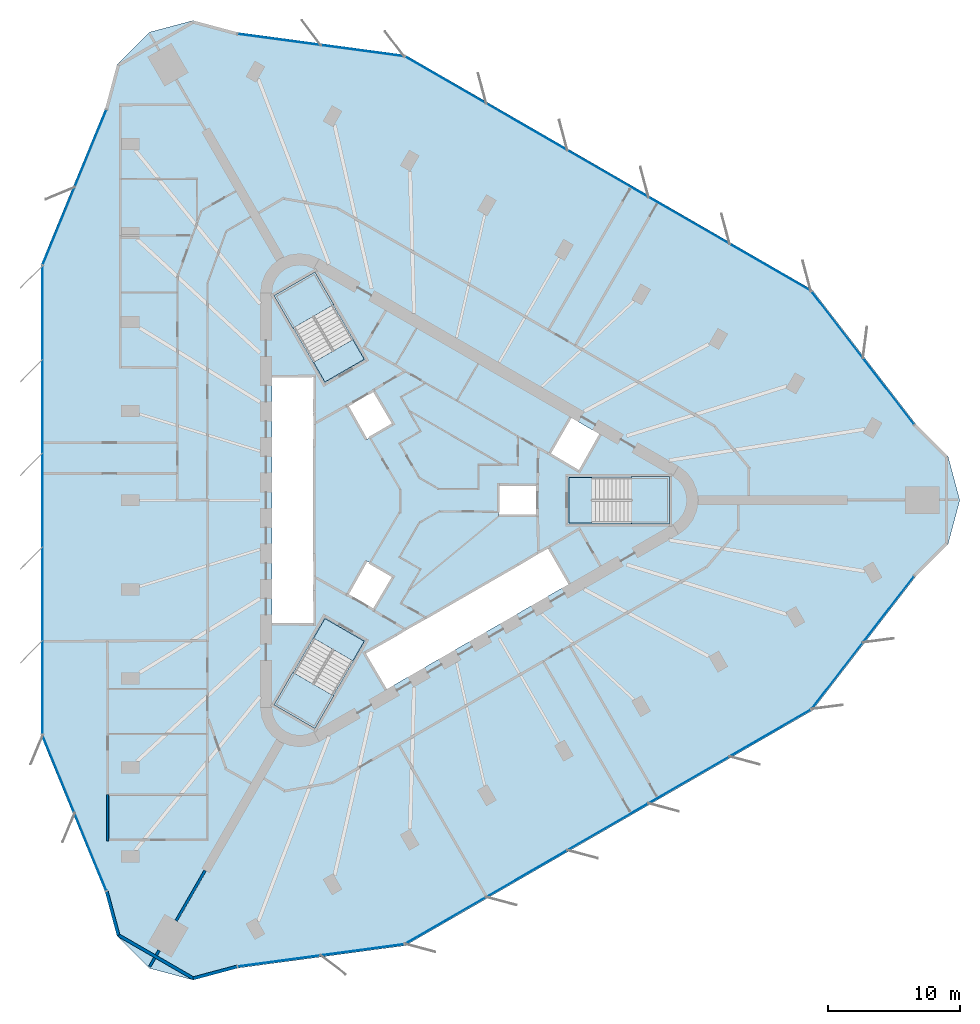
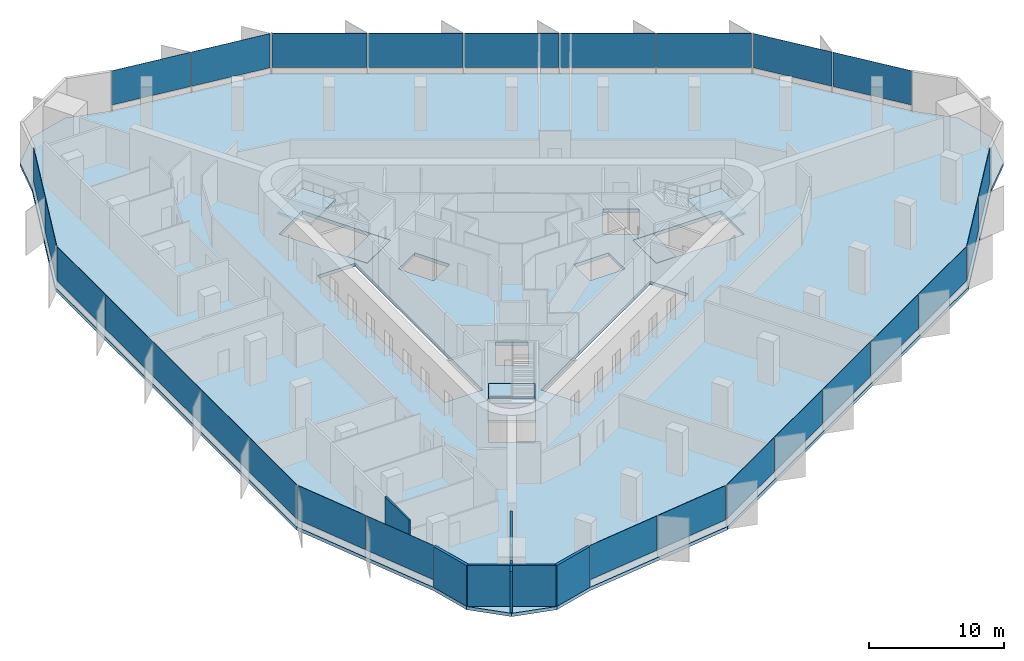
# One storey, part 7 of 14: 27 plates, 7 slabs, 7 walls, 12 elements without a shape of their own.
"""IFC4 building model written with IfcOpenShell, lengths in metres."""

from ifc_helpers import new_model, si_unit, direction, frame, frame_2d, origin, origin_2d, place, context, subcontext, project, spatial, polyline, rectangle, outline, extrude, material, layer, layer_set, type_object, element, aggregate, save


model = new_model("IFC4")

# Units and contexts
model_context = context("Model", 3, precision=1e-05, world=origin(), true_north=direction((0.0, 1.0)))
body_context = subcontext(model_context, "Body", "Model", "MODEL_VIEW")
ifc_project = project(units=[si_unit("LENGTHUNIT", "METRE"), si_unit("AREAUNIT", "SQUARE_METRE"), si_unit("VOLUMEUNIT", "CUBIC_METRE"), si_unit("PLANEANGLEUNIT", "RADIAN"), si_unit("MASSUNIT", "GRAM", prefix="KILO")], contexts=[model_context])

# Site, building, storey
site_placement = place(None, origin())
site = spatial("IfcSite", under=ifc_project, at=site_placement, CompositionType="ELEMENT")
building_placement = place(site_placement, origin())
building = spatial("IfcBuilding", under=site, at=building_placement, Name="Tanit Gate Tower", CompositionType="ELEMENT")
storey_placement = place(building_placement, frame((0.0, 0.0, 237.199951171875)))
storey = spatial("IfcBuildingStorey", under=building, at=storey_placement, Name="L53", CompositionType="ELEMENT", Elevation=237.199951171875)

# Slab
ifc_material_1 = material(Name="Concrete C35/45", Category="concrete")
ifc_layer_1 = layer(ifc_material_1, 0.300048828125)
ifc_layer_set_1 = layer_set([ifc_layer_1], Name="FLOOR SLAB 300 C35/45")
slab_type_1 = type_object("IfcSlabType", Name="FLOOR SLAB 300 C35/45", PredefinedType="FLOOR", material=ifc_layer_set_1)
slab_1_placement = place(storey_placement, frame((0.0, 0.0, -0.300048828125)))
element("IfcSlab", 1, at=slab_1_placement, inside=storey, type_object=slab_type_1, Name="FLOOR SLAB L53", PredefinedType="FLOOR", context=body_context, shape_type="SweptSolid", body=[
    extrude(outline(polyline([(37.72509765625, 5.792724609375), (40.173583984375, 3.344482421875), (41.069580078125, 0.0), (40.173583984375, -3.344482421875), (37.72509765625, -5.792724609375), (29.8583984375, -15.986572265625), (-1.083251953125, -33.853515625), (-13.845947265625, -35.5673828125), (-17.1904296875, -36.46337890625), (-20.534912109375, -35.5673828125), (-22.983154296875, -33.119140625), (-23.879150390625, -29.774658203125), (-28.77392578125, -17.86474609375), (-28.7763671875, 17.86474609375), (-23.879150390625, 29.774658203125), (-22.983154296875, 33.119140625), (-20.534912109375, 35.5673828125), (-17.1904296875, 36.46337890625), (-13.845947265625, 35.5673828125), (-1.08447265625, 33.851318359375), (29.859619140625, 15.988525390625), (37.72509765625, 5.792724609375)]), holes=[polyline([(11.3701171875, 1.72998046875), (18.929931640625, 1.72998046875), (18.929931640625, -1.72998046875), (11.3701171875, -1.72998046875), (11.3701171875, 1.72998046875)]), polyline([(9.82080078125, 3.510009765625), (11.44580078125, 6.324462890625), (13.783935546875, 4.974609375), (12.158935546875, 2.159912109375), (9.82080078125, 3.510009765625)]), polyline([(-4.208984375, -11.60986328125), (9.82080078125, -3.510009765625), (11.44580078125, -6.324462890625), (-2.583984375, -14.424560546875), (-4.208984375, -11.60986328125)]), polyline([(6.0, 1.199951171875), (9.0, 1.199951171875), (9.0, -1.199951171875), (6.0, -1.199951171875), (6.0, 1.199951171875)]), polyline([(-5.539306640625, 7.194091796875), (-3.460693359375, 8.394287109375), (-1.960693359375, 5.796142578125), (-4.039306640625, 4.59619140625), (-5.539306640625, 7.194091796875)]), polyline([(-1.960693359375, -5.796142578125), (-3.460693359375, -8.394287109375), (-5.539306640625, -7.194091796875), (-4.039306640625, -4.59619140625), (-1.960693359375, -5.796142578125)]), polyline([(-10.963134765625, 15.52880859375), (-7.966796875, 17.2587890625), (-4.186767578125, 10.711669921875), (-7.18310546875, 8.981689453125), (-10.963134765625, 15.52880859375)]), polyline([(-4.186767578125, -10.711669921875), (-7.966796875, -17.2587890625), (-10.963134765625, -15.52880859375), (-7.18310546875, -8.981689453125), (-4.186767578125, -10.711669921875)]), polyline([(-11.199951171875, -9.449951171875), (-11.199951171875, 9.449951171875), (-7.949951171875, 9.449951171875), (-7.949951171875, -9.449951171875), (-11.199951171875, -9.449951171875)])]), origin(), (0.0, 0.0, 1.0), 0.300048828125),
])

# Curtain wall, plates
ifc_material_2 = material(Name="Aluminium bronze anodised and glass", Category="aluminium")
curtain_wall_type = type_object("IfcCurtainWallType", Name="Curtain wall typical mid", PredefinedType="NOTDEFINED", material=ifc_material_2)
curtain_wall_1_placement = place(storey_placement, origin())
curtain_wall_1 = element("IfcCurtainWall", 2, at=curtain_wall_1_placement, inside=storey, type_object=curtain_wall_type, Name="Curtain wall L53 NE1", PredefinedType="NOTDEFINED")
ifc_material_3 = material(Name="Glass tinted", Category="glass")
ifc_layer_2 = layer(ifc_material_3, 0.030029296875)
ifc_layer_set_2 = layer_set([ifc_layer_2], Name="Glass panel 30 typical mid")
plate_type = type_object("IfcPlateType", Name="Glass panel 30 typical mid", PredefinedType="CURTAIN_PANEL", material=ifc_layer_set_2)
plate_1_placement = place(storey_placement, frame((35.65869140625, 8.27490234375, 0.60009765625), z_axis=(0.0, 0.0, 1.0), x_axis=(-0.610813286526, 0.791774670599, 0.0)))
plate_1 = element("IfcPlate", 3, at=plate_1_placement, type_object=plate_type, Name="Glass panel L53 NE1.1", PredefinedType="CURTAIN_PANEL", context=body_context, shape_type="SweptSolid", body=[
    extrude(rectangle(XDim=6.310791015625, YDim=0.030029296875, at=origin_2d()), origin(), (0.0, 0.0, 1.0), 3.10009765625),
])
plate_2_placement = place(storey_placement, frame((31.755126953125, 13.3349609375, 0.60009765625), z_axis=(0.0, 0.0, 1.0), x_axis=(-0.610813286526, 0.791774670599, 0.0)))
plate_2 = element("IfcPlate", 4, at=plate_2_placement, type_object=plate_type, Name="Glass panel L53 NE1.2", PredefinedType="CURTAIN_PANEL", context=body_context, shape_type="SweptSolid", body=[
    extrude(rectangle(XDim=6.310791015625, YDim=0.030029296875, at=origin_2d()), origin(), (0.0, 0.0, 1.0), 3.10009765625),
])
aggregate(curtain_wall_1, [plate_1, plate_2])

curtain_wall_2_placement = place(storey_placement, origin())
curtain_wall_2 = element("IfcCurtainWall", 5, at=curtain_wall_2_placement, inside=storey, type_object=curtain_wall_type, Name="Curtain wall L53 NE2", PredefinedType="NOTDEFINED")
plate_3_placement = place(storey_placement, frame((26.6611328125, 17.696533203125, 0.60009765625), z_axis=(0.0, 0.0, 1.0), x_axis=(-0.866060071089, 0.49993994966, 0.0)))
plate_3 = element("IfcPlate", 6, at=plate_3_placement, type_object=plate_type, Name="Glass panel L53 NE2.1", PredefinedType="CURTAIN_PANEL", context=body_context, shape_type="SweptSolid", body=[
    extrude(rectangle(XDim=7.040283203125, YDim=0.030029296875, at=origin_2d()), origin(), (0.0, 0.0, 1.0), 3.10009765625),
])
plate_4_placement = place(storey_placement, frame((20.494384765625, 21.25634765625, 0.60009765625), z_axis=(0.0, 0.0, 1.0), x_axis=(-0.866060071089, 0.49993994966, 0.0)))
plate_4 = element("IfcPlate", 7, at=plate_4_placement, type_object=plate_type, Name="Glass panel L53 NE2.2", PredefinedType="CURTAIN_PANEL", context=body_context, shape_type="SweptSolid", body=[
    extrude(rectangle(XDim=7.04052734375, YDim=0.030029296875, at=origin_2d()), origin(), (0.0, 0.0, 1.0), 3.10009765625),
])
plate_5_placement = place(storey_placement, frame((14.32763671875, 24.816162109375, 0.60009765625), z_axis=(0.0, 0.0, 1.0), x_axis=(-0.866060071089, 0.49993994966, 0.0)))
plate_5 = element("IfcPlate", 8, at=plate_5_placement, type_object=plate_type, Name="Glass panel L53 NE2.3", PredefinedType="CURTAIN_PANEL", context=body_context, shape_type="SweptSolid", body=[
    extrude(rectangle(XDim=7.040283203125, YDim=0.030029296875, at=origin_2d()), origin(), (0.0, 0.0, 1.0), 3.10009765625),
])
plate_6_placement = place(storey_placement, frame((8.160888671875, 28.375732421875, 0.60009765625), z_axis=(0.0, 0.0, 1.0), x_axis=(-0.866060071089, 0.49993994966, 0.0)))
plate_6 = element("IfcPlate", 9, at=plate_6_placement, type_object=plate_type, Name="Glass panel L53 NE2.4", PredefinedType="CURTAIN_PANEL", context=body_context, shape_type="SweptSolid", body=[
    extrude(rectangle(XDim=7.04052734375, YDim=0.030029296875, at=origin_2d()), origin(), (0.0, 0.0, 1.0), 3.10009765625),
])
plate_7_placement = place(storey_placement, frame((1.994140625, 31.935546875, 0.60009765625), z_axis=(0.0, 0.0, 1.0), x_axis=(-0.866060071089, 0.49993994966, 0.0)))
plate_7 = element("IfcPlate", 10, at=plate_7_placement, type_object=plate_type, Name="Glass panel L53 NE2.5", PredefinedType="CURTAIN_PANEL", context=body_context, shape_type="SweptSolid", body=[
    extrude(rectangle(XDim=7.040283203125, YDim=0.030029296875, at=origin_2d()), origin(), (0.0, 0.0, 1.0), 3.10009765625),
])
aggregate(curtain_wall_2, [plate_3, plate_4, plate_5, plate_6, plate_7])

curtain_wall_3_placement = place(storey_placement, origin())
curtain_wall_3 = element("IfcCurtainWall", 11, at=curtain_wall_3_placement, inside=storey, type_object=curtain_wall_type, Name="Curtain wall L53 NE3", PredefinedType="NOTDEFINED")
plate_8_placement = place(storey_placement, frame((-4.330078125, 34.166748046875, 0.60009765625), z_axis=(0.0, 0.0, 1.0), x_axis=(-0.991079923129, 0.133268848466, 0.0)))
plate_8 = element("IfcPlate", 12, at=plate_8_placement, type_object=plate_type, Name="Glass panel L53 NE3.1", PredefinedType="CURTAIN_PANEL", context=body_context, shape_type="SweptSolid", body=[
    extrude(rectangle(XDim=6.310302734375, YDim=0.030029296875, at=origin_2d()), origin(), (0.0, 0.0, 1.0), 3.10009765625),
])
plate_9_placement = place(storey_placement, frame((-10.663330078125, 35.018310546875, 0.60009765625), z_axis=(0.0, 0.0, 1.0), x_axis=(-0.991079923129, 0.133268848466, 0.0)))
plate_9 = element("IfcPlate", 13, at=plate_9_placement, type_object=plate_type, Name="Glass panel L53 NE3.2", PredefinedType="CURTAIN_PANEL", context=body_context, shape_type="SweptSolid", body=[
    extrude(rectangle(XDim=6.310302734375, YDim=0.030029296875, at=origin_2d()), origin(), (0.0, 0.0, 1.0), 3.10009765625),
])
aggregate(curtain_wall_3, [plate_8, plate_9])

curtain_wall_4_placement = place(storey_placement, origin())
curtain_wall_4 = element("IfcCurtainWall", 14, at=curtain_wall_4_placement, inside=storey, type_object=curtain_wall_type, Name="Curtain wall L53 W1", PredefinedType="NOTDEFINED")
plate_10_placement = place(storey_placement, frame((-24.99560546875, 26.743896484375, 0.60009765625), z_axis=(0.0, 0.0, 1.0), x_axis=(-0.380290335549, -0.924867158401, 0.0)))
plate_10 = element("IfcPlate", 15, at=plate_10_placement, type_object=plate_type, Name="Glass panel L53 W1.1", PredefinedType="CURTAIN_PANEL", context=body_context, shape_type="SweptSolid", body=[
    extrude(rectangle(XDim=6.310791015625, YDim=0.030029296875, at=origin_2d()), origin(), (0.0, 0.0, 1.0), 3.10009765625),
])
plate_11_placement = place(storey_placement, frame((-27.426025390625, 20.833251953125, 0.60009765625), z_axis=(0.0, 0.0, 1.0), x_axis=(-0.380290335549, -0.924867158401, 0.0)))
plate_11 = element("IfcPlate", 16, at=plate_11_placement, type_object=plate_type, Name="Glass panel L53 W1.2", PredefinedType="CURTAIN_PANEL", context=body_context, shape_type="SweptSolid", body=[
    extrude(rectangle(XDim=6.310791015625, YDim=0.030029296875, at=origin_2d()), origin(), (0.0, 0.0, 1.0), 3.10009765625),
])
aggregate(curtain_wall_4, [plate_10, plate_11])

curtain_wall_5_placement = place(storey_placement, origin())
curtain_wall_5 = element("IfcCurtainWall", 17, at=curtain_wall_5_placement, inside=storey, type_object=curtain_wall_type, Name="Curtain wall L53 W2", PredefinedType="NOTDEFINED")
plate_12_placement = place(storey_placement, frame((-28.656005859375, 14.240966796875, 0.60009765625), z_axis=(0.0, 0.0, 1.0), x_axis=(6.9338772e-05, -0.999999997596, 0.0)))
plate_12 = element("IfcPlate", 18, at=plate_12_placement, type_object=plate_type, Name="Glass panel L53 W2.1", PredefinedType="CURTAIN_PANEL", context=body_context, shape_type="SweptSolid", body=[
    extrude(rectangle(XDim=7.040283203125, YDim=0.030029296875, at=origin_2d()), origin(), (0.0, 0.0, 1.0), 3.10009765625),
])
plate_13_placement = place(storey_placement, frame((-28.655517578125, 7.120361328125, 0.60009765625), z_axis=(0.0, 0.0, 1.0), x_axis=(6.9338772e-05, -0.999999997596, 0.0)))
plate_13 = element("IfcPlate", 19, at=plate_13_placement, type_object=plate_type, Name="Glass panel L53 W2.2", PredefinedType="CURTAIN_PANEL", context=body_context, shape_type="SweptSolid", body=[
    extrude(rectangle(XDim=7.04052734375, YDim=0.030029296875, at=origin_2d()), origin(), (0.0, 0.0, 1.0), 3.10009765625),
])
plate_14_placement = place(storey_placement, frame((-28.655029296875, 0.0, 0.60009765625), z_axis=(0.0, 0.0, 1.0), x_axis=(6.9338772e-05, -0.999999997596, 0.0)))
plate_14 = element("IfcPlate", 20, at=plate_14_placement, type_object=plate_type, Name="Glass panel L53 W2.3", PredefinedType="CURTAIN_PANEL", context=body_context, shape_type="SweptSolid", body=[
    extrude(rectangle(XDim=7.040283203125, YDim=0.030029296875, at=origin_2d()), origin(), (0.0, 0.0, 1.0), 3.10009765625),
])
plate_15_placement = place(storey_placement, frame((-28.654541015625, -7.120361328125, 0.60009765625), z_axis=(0.0, 0.0, 1.0), x_axis=(6.9338772e-05, -0.999999997596, 0.0)))
plate_15 = element("IfcPlate", 21, at=plate_15_placement, type_object=plate_type, Name="Glass panel L53 W2.4", PredefinedType="CURTAIN_PANEL", context=body_context, shape_type="SweptSolid", body=[
    extrude(rectangle(XDim=7.04052734375, YDim=0.030029296875, at=origin_2d()), origin(), (0.0, 0.0, 1.0), 3.10009765625),
])
plate_16_placement = place(storey_placement, frame((-28.654052734375, -14.240966796875, 0.60009765625), z_axis=(0.0, 0.0, 1.0), x_axis=(6.9338772e-05, -0.999999997596, 0.0)))
plate_16 = element("IfcPlate", 22, at=plate_16_placement, type_object=plate_type, Name="Glass panel L53 W2.5", PredefinedType="CURTAIN_PANEL", context=body_context, shape_type="SweptSolid", body=[
    extrude(rectangle(XDim=7.040283203125, YDim=0.030029296875, at=origin_2d()), origin(), (0.0, 0.0, 1.0), 3.10009765625),
])
aggregate(curtain_wall_5, [plate_12, plate_13, plate_14, plate_15, plate_16])

curtain_wall_6_placement = place(storey_placement, origin())
curtain_wall_6 = element("IfcCurtainWall", 23, at=curtain_wall_6_placement, inside=storey, type_object=curtain_wall_type, Name="Curtain wall L53 W3", PredefinedType="NOTDEFINED")
plate_17_placement = place(storey_placement, frame((-27.424072265625, -20.833251953125, 0.60009765625), z_axis=(0.0, 0.0, 1.0), x_axis=(0.380125753259, -0.924934814843, 0.0)))
plate_17 = element("IfcPlate", 24, at=plate_17_placement, type_object=plate_type, Name="Glass panel L53 W3.1", PredefinedType="CURTAIN_PANEL", context=body_context, shape_type="SweptSolid", body=[
    extrude(rectangle(XDim=6.310302734375, YDim=0.030029296875, at=origin_2d()), origin(), (0.0, 0.0, 1.0), 3.10009765625),
])
plate_18_placement = place(storey_placement, frame((-24.9951171875, -26.743896484375, 0.60009765625), z_axis=(0.0, 0.0, 1.0), x_axis=(0.380125753259, -0.924934814843, 0.0)))
plate_18 = element("IfcPlate", 25, at=plate_18_placement, type_object=plate_type, Name="Glass panel L53 W3.2", PredefinedType="CURTAIN_PANEL", context=body_context, shape_type="SweptSolid", body=[
    extrude(rectangle(XDim=6.310302734375, YDim=0.030029296875, at=origin_2d()), origin(), (0.0, 0.0, 1.0), 3.10009765625),
])
aggregate(curtain_wall_6, [plate_17, plate_18])

curtain_wall_7_placement = place(storey_placement, origin())
curtain_wall_7 = element("IfcCurtainWall", 26, at=curtain_wall_7_placement, inside=storey, type_object=curtain_wall_type, Name="Curtain wall L53 SE1", PredefinedType="NOTDEFINED")
plate_19_placement = place(storey_placement, frame((-10.6630859375, -35.018798828125, 0.60009765625), z_axis=(0.0, 0.0, 1.0), x_axis=(0.991103622075, 0.133092487801, 0.0)))
plate_19 = element("IfcPlate", 27, at=plate_19_placement, type_object=plate_type, Name="Glass panel L53 SE1.1", PredefinedType="CURTAIN_PANEL", context=body_context, shape_type="SweptSolid", body=[
    extrude(rectangle(XDim=6.310791015625, YDim=0.030029296875, at=origin_2d()), origin(), (0.0, 0.0, 1.0), 3.10009765625),
])
plate_20_placement = place(storey_placement, frame((-4.329345703125, -34.168212890625, 0.60009765625), z_axis=(0.0, 0.0, 1.0), x_axis=(0.991103622075, 0.133092487801, 0.0)))
plate_20 = element("IfcPlate", 28, at=plate_20_placement, type_object=plate_type, Name="Glass panel L53 SE1.2", PredefinedType="CURTAIN_PANEL", context=body_context, shape_type="SweptSolid", body=[
    extrude(rectangle(XDim=6.310791015625, YDim=0.030029296875, at=origin_2d()), origin(), (0.0, 0.0, 1.0), 3.10009765625),
])
aggregate(curtain_wall_7, [plate_19, plate_20])

curtain_wall_8_placement = place(storey_placement, origin())
curtain_wall_8 = element("IfcCurtainWall", 29, at=curtain_wall_8_placement, inside=storey, type_object=curtain_wall_type, Name="Curtain wall L53 SE2", PredefinedType="NOTDEFINED")
plate_21_placement = place(storey_placement, frame((1.9951171875, -31.937255859375, 0.60009765625), z_axis=(0.0, 0.0, 1.0), x_axis=(0.865990732317, 0.500060047936, 0.0)))
plate_21 = element("IfcPlate", 30, at=plate_21_placement, type_object=plate_type, Name="Glass panel L53 SE2.1", PredefinedType="CURTAIN_PANEL", context=body_context, shape_type="SweptSolid", body=[
    extrude(rectangle(XDim=7.040283203125, YDim=0.030029296875, at=origin_2d()), origin(), (0.0, 0.0, 1.0), 3.10009765625),
])
plate_22_placement = place(storey_placement, frame((8.161376953125, -28.376708984375, 0.60009765625), z_axis=(0.0, 0.0, 1.0), x_axis=(0.865990732317, 0.500060047936, 0.0)))
plate_22 = element("IfcPlate", 31, at=plate_22_placement, type_object=plate_type, Name="Glass panel L53 SE2.2", PredefinedType="CURTAIN_PANEL", context=body_context, shape_type="SweptSolid", body=[
    extrude(rectangle(XDim=7.04052734375, YDim=0.030029296875, at=origin_2d()), origin(), (0.0, 0.0, 1.0), 3.10009765625),
])
plate_23_placement = place(storey_placement, frame((14.32763671875, -24.816162109375, 0.60009765625), z_axis=(0.0, 0.0, 1.0), x_axis=(0.865990732317, 0.500060047936, 0.0)))
plate_23 = element("IfcPlate", 32, at=plate_23_placement, type_object=plate_type, Name="Glass panel L53 SE2.3", PredefinedType="CURTAIN_PANEL", context=body_context, shape_type="SweptSolid", body=[
    extrude(rectangle(XDim=7.040283203125, YDim=0.030029296875, at=origin_2d()), origin(), (0.0, 0.0, 1.0), 3.10009765625),
])
plate_24_placement = place(storey_placement, frame((20.493896484375, -21.25537109375, 0.60009765625), z_axis=(0.0, 0.0, 1.0), x_axis=(0.865990732317, 0.500060047936, 0.0)))
plate_24 = element("IfcPlate", 33, at=plate_24_placement, type_object=plate_type, Name="Glass panel L53 SE2.4", PredefinedType="CURTAIN_PANEL", context=body_context, shape_type="SweptSolid", body=[
    extrude(rectangle(XDim=7.04052734375, YDim=0.030029296875, at=origin_2d()), origin(), (0.0, 0.0, 1.0), 3.10009765625),
])
plate_25_placement = place(storey_placement, frame((26.66015625, -17.69482421875, 0.60009765625), z_axis=(0.0, 0.0, 1.0), x_axis=(0.865990732317, 0.500060047936, 0.0)))
plate_25 = element("IfcPlate", 34, at=plate_25_placement, type_object=plate_type, Name="Glass panel L53 SE2.5", PredefinedType="CURTAIN_PANEL", context=body_context, shape_type="SweptSolid", body=[
    extrude(rectangle(XDim=7.040283203125, YDim=0.030029296875, at=origin_2d()), origin(), (0.0, 0.0, 1.0), 3.10009765625),
])
aggregate(curtain_wall_8, [plate_21, plate_22, plate_23, plate_24, plate_25])

curtain_wall_9_placement = place(storey_placement, origin())
curtain_wall_9 = element("IfcCurtainWall", 35, at=curtain_wall_9_placement, inside=storey, type_object=curtain_wall_type, Name="Curtain wall L53 SE3", PredefinedType="NOTDEFINED")
plate_26_placement = place(storey_placement, frame((31.75439453125, -13.333251953125, 0.60009765625), z_axis=(0.0, 0.0, 1.0), x_axis=(0.610954169869, 0.791665966377, 0.0)))
plate_26 = element("IfcPlate", 36, at=plate_26_placement, type_object=plate_type, Name="Glass panel L53 SE3.1", PredefinedType="CURTAIN_PANEL", context=body_context, shape_type="SweptSolid", body=[
    extrude(rectangle(XDim=6.310302734375, YDim=0.030029296875, at=origin_2d()), origin(), (0.0, 0.0, 1.0), 3.10009765625),
])
plate_27_placement = place(storey_placement, frame((35.658447265625, -8.2744140625, 0.60009765625), z_axis=(0.0, 0.0, 1.0), x_axis=(0.610954169869, 0.791665966377, 0.0)))
plate_27 = element("IfcPlate", 37, at=plate_27_placement, type_object=plate_type, Name="Glass panel L53 SE3.2", PredefinedType="CURTAIN_PANEL", context=body_context, shape_type="SweptSolid", body=[
    extrude(rectangle(XDim=6.310302734375, YDim=0.030029296875, at=origin_2d()), origin(), (0.0, 0.0, 1.0), 3.10009765625),
])
aggregate(curtain_wall_9, [plate_26, plate_27])

# Stair, slab
ifc_material_4 = material(Name="Concrete C40/50", Category="concrete")
stair_type = type_object("IfcStairType", Name="INT-STAIR-EXIT", PredefinedType="HALF_TURN_STAIR", material=ifc_material_4)
stair_1_placement = place(storey_placement, origin())
stair_1 = element("IfcStair", 38, at=stair_1_placement, inside=storey, type_object=stair_type, Name="L53 STAIR S1", PredefinedType="HALF_TURN_STAIR")
ifc_material_5 = material(Name="Concrete C40/50", Category="concrete")
ifc_layer_3 = layer(ifc_material_5, 0.199951171875)
ifc_layer_set_3 = layer_set([ifc_layer_3], Name="INT-STAIR-LANDING")
slab_type_2 = type_object("IfcSlabType", Name="INT-STAIR-LANDING", PredefinedType="LANDING", material=ifc_layer_set_3)
slab_2_placement = place(storey_placement, frame((0.0, 0.0, 1.800048828125)))
slab_2 = element("IfcSlab", 39, at=slab_2_placement, type_object=slab_type_2, Name="S1 landing 1", PredefinedType="LANDING", context=body_context, shape_type="SweptSolid", body=[
    extrude(outline(polyline([(16.135986328125, -1.800048828125), (19.0, -1.800048828125), (19.0, 1.800048828125), (16.135986328125, 1.800048828125), (16.135986328125, -1.800048828125)])), origin(), (0.0, 0.0, 1.0), 0.199951171875),
])
aggregate(stair_1, [slab_2])

# Slab
slab_3_placement = place(storey_placement, frame((0.0, 0.0, -0.199951171875)))
element("IfcSlab", 40, at=slab_3_placement, inside=storey, type_object=slab_type_2, Name="S1 floor landing", PredefinedType="LANDING", context=body_context, shape_type="SweptSolid", body=[
    extrude(outline(polyline([(11.3798828125, -1.719970703125), (13.10498046875, -1.719970703125), (13.10498046875, 1.719970703125), (11.3798828125, 1.719970703125), (11.3798828125, -1.719970703125)])), origin(), (0.0, 0.0, 1.0), 0.199951171875),
])

# Stair, slab
stair_2_placement = place(storey_placement, origin())
stair_2 = element("IfcStair", 41, at=stair_2_placement, inside=storey, type_object=stair_type, Name="L53 STAIR S2", PredefinedType="HALF_TURN_STAIR")
slab_4_placement = place(storey_placement, frame((0.0, 0.0, 1.800048828125)))
slab_4 = element("IfcSlab", 42, at=slab_4_placement, type_object=slab_type_2, Name="S2 landing 1", PredefinedType="LANDING", context=body_context, shape_type="SweptSolid", body=[
    extrude(outline(polyline([(-6.5078125, 14.871826171875), (-7.941162109375, 17.3544921875), (-11.058837890625, 15.554443359375), (-9.62548828125, 13.07177734375), (-6.5078125, 14.871826171875)])), origin(), (0.0, 0.0, 1.0), 0.199951171875),
])
aggregate(stair_2, [slab_4])

# Slab
slab_5_placement = place(storey_placement, frame((0.0, 0.0, -0.199951171875)))
element("IfcSlab", 43, at=slab_5_placement, inside=storey, type_object=slab_type_2, Name="S2 floor landing", PredefinedType="LANDING", context=body_context, shape_type="SweptSolid", body=[
    extrude(outline(polyline([(-4.200439453125, 10.71533203125), (-5.0625, 12.20849609375), (-8.04150390625, 10.48828125), (-7.179443359375, 8.995361328125), (-4.200439453125, 10.71533203125)])), origin(), (0.0, 0.0, 1.0), 0.199951171875),
])

# Stair, slab
stair_3_placement = place(storey_placement, origin())
stair_3 = element("IfcStair", 44, at=stair_3_placement, inside=storey, type_object=stair_type, Name="L53 STAIR S3", PredefinedType="HALF_TURN_STAIR")
slab_6_placement = place(storey_placement, frame((0.0, 0.0, 1.800048828125)))
slab_6 = element("IfcSlab", 45, at=slab_6_placement, type_object=slab_type_2, Name="S3 landing 1", PredefinedType="LANDING", context=body_context, shape_type="SweptSolid", body=[
    extrude(outline(polyline([(-9.626953125, -13.07421875), (-11.058837890625, -15.554443359375), (-7.941162109375, -17.3544921875), (-6.509033203125, -14.874267578125), (-9.626953125, -13.07421875)])), origin(), (0.0, 0.0, 1.0), 0.199951171875),
])
aggregate(stair_3, [slab_6])

# Slab
slab_7_placement = place(storey_placement, frame((0.0, 0.0, -0.199951171875)))
element("IfcSlab", 46, at=slab_7_placement, inside=storey, type_object=slab_type_2, Name="S3 floor landing", PredefinedType="LANDING", context=body_context, shape_type="SweptSolid", body=[
    extrude(outline(polyline([(-7.179443359375, -8.995361328125), (-8.0419921875, -10.4892578125), (-5.06298828125, -12.209228515625), (-4.200439453125, -10.71533203125), (-7.179443359375, -8.995361328125)])), origin(), (0.0, 0.0, 1.0), 0.199951171875),
])

# Walls
ifc_material_6 = material(Name="Concrete C30/37 with bronze anodised aluminium cladding", Category="concrete")
ifc_layer_4 = layer(ifc_material_6, 0.239990234375)
ifc_layer_set_4 = layer_set([ifc_layer_4], Name="Facade wall bronze clad 240")
wall_type_1 = type_object("IfcWallType", Name="Facade wall bronze clad 240", PredefinedType="SOLIDWALL", material=ifc_layer_set_4)
wall_1_placement = place(storey_placement, frame((-23.765380859375, -29.736083984375, 0.0), z_axis=(0.0, 0.0, 1.0), x_axis=(0.258842571536, -0.965919522093, 0.0)))
element("IfcWall", 47, at=wall_1_placement, inside=storey, type_object=wall_type_1, Name="Bronze-clad facade wall L53 SW.arc1", PredefinedType="SOLIDWALL", context=body_context, shape_type="SweptSolid", body=[
    extrude(rectangle(XDim=3.43798828125, YDim=0.239990234375, at=frame_2d((1.718994140625, 0.0))), origin(), (0.0, 0.0, 1.0), 3.699951171875),
])
wall_2_placement = place(storey_placement, frame((-22.87548828125, -33.056884765625, 0.0), z_axis=(0.0, 0.0, 1.0), x_axis=(0.866012172048, -0.50002291734, 0.0)))
element("IfcWall", 48, at=wall_2_placement, inside=storey, type_object=wall_type_1, Name="Bronze-clad facade wall L53 SW.arc2", PredefinedType="SOLIDWALL", context=body_context, shape_type="SweptSolid", body=[
    extrude(rectangle(XDim=6.564697265625, YDim=0.239990234375, at=frame_2d((3.2822265625, 0.0))), origin(), (0.0, 0.0, 1.0), 3.699951171875),
])
wall_3_placement = place(storey_placement, frame((-17.1904296875, -36.33935546875, 0.0), z_axis=(0.0, 0.0, 1.0), x_axis=(0.965919522093, 0.258842571536, 0.0)))
element("IfcWall", 49, at=wall_3_placement, inside=storey, type_object=wall_type_1, Name="Bronze-clad facade wall L53 SW.arc3", PredefinedType="SOLIDWALL", context=body_context, shape_type="SweptSolid", body=[
    extrude(rectangle(XDim=3.43798828125, YDim=0.239990234375, at=frame_2d((1.718994140625, 0.0))), origin(), (0.0, 0.0, 1.0), 3.699951171875),
])
ifc_material_7 = material(Name="Fire-rated gypsum board partition")
ifc_layer_5 = layer(ifc_material_7, 0.199951171875)
ifc_layer_set_5 = layer_set([ifc_layer_5], Name="INT-WALL-COMPARTMENT")
wall_type_2 = type_object("IfcWallType", Name="INT-WALL-COMPARTMENT", PredefinedType="PARTITIONING", material=ifc_layer_set_5)
wall_4_placement = place(storey_placement, frame((-16.28515625, -28.146484375, 0.0), z_axis=(0.0, 0.0, 1.0), x_axis=(-0.499992938033, -0.866029480975, 0.0)))
element("IfcWall", 50, at=wall_4_placement, inside=storey, type_object=wall_type_2, Name="Wall Compartment W127", PredefinedType="PARTITIONING", context=body_context, shape_type="SweptSolid", body=[
    extrude(rectangle(XDim=4.4013671875, YDim=0.199951171875, at=frame_2d((2.20068359375, 0.0))), origin(), (0.0, 0.0, 1.0), 3.27001953125),
])
wall_5_placement = place(storey_placement, frame((-19.785888671875, -34.2099609375, 0.0), z_axis=(0.0, 0.0, 1.0), x_axis=(-0.50001992892, -0.866013897511, 0.0)))
element("IfcWall", 51, at=wall_5_placement, inside=storey, type_object=wall_type_2, Name="Wall Compartment W126", PredefinedType="PARTITIONING", context=body_context, shape_type="SweptSolid", body=[
    extrude(rectangle(XDim=0.42626953125, YDim=0.199951171875, at=frame_2d((0.213134765625, 0.0))), origin(), (0.0, 0.0, 1.0), 3.699951171875),
])
wall_6_placement = place(storey_placement, frame((-20.118896484375, -34.787109375, 0.0), z_axis=(0.0, 0.0, 1.0), x_axis=(-0.500088105676, -0.865974529972, 0.0)))
element("IfcWall", 52, at=wall_6_placement, inside=storey, type_object=wall_type_2, Name="Wall Compartment W126x1", PredefinedType="PARTITIONING", context=body_context, shape_type="SweptSolid", body=[
    extrude(rectangle(XDim=0.751220703125, YDim=0.199951171875, at=frame_2d((0.37548828125, 0.0))), origin(), (0.0, 0.0, 1.0), 3.699951171875),
])
ifc_material_8 = material(Name="Fire-rated gypsum board partition")
ifc_layer_6 = layer(ifc_material_8, 0.14990234375)
ifc_layer_set_6 = layer_set([ifc_layer_6], Name="INT-WALL-RISER")
wall_type_3 = type_object("IfcWallType", Name="INT-WALL-RISER", PredefinedType="PLUMBINGWALL", material=ifc_layer_set_6)
wall_7_placement = place(storey_placement, frame((-23.68994140625, -25.89501953125, 0.0), z_axis=(0.0, 0.0, 1.0), x_axis=(0.0, 1.0, 0.0)))
element("IfcWall", 53, at=wall_7_placement, inside=storey, type_object=wall_type_3, Name="Wall Riser W133", PredefinedType="PLUMBINGWALL", context=body_context, shape_type="SweptSolid", body=[
    extrude(rectangle(XDim=3.52197265625, YDim=0.14990234375, at=frame_2d((1.760986328125, 0.0))), origin(), (0.0, 0.0, 1.0), 3.699951171875),
])

save(model, "model.ifc")
